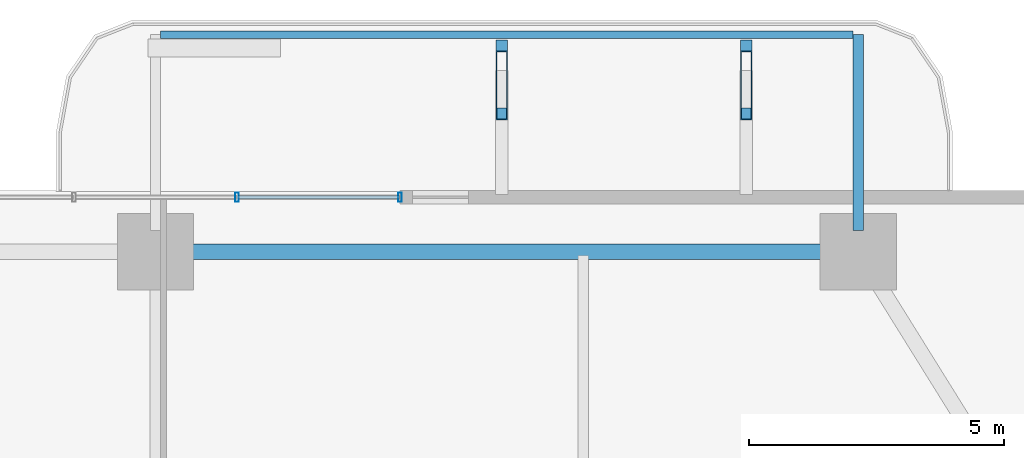
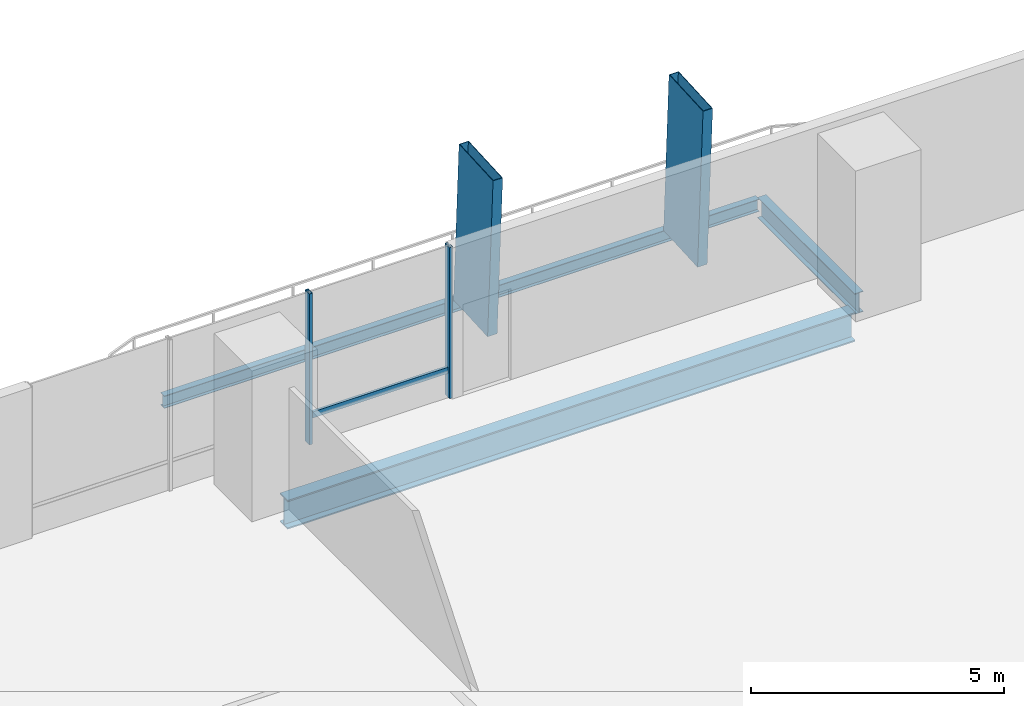
# One storey, part 15 of 23: 5 members, 3 beams, 1 element without a shape of its own.
"""IFC4 building model written with IfcOpenShell, lengths in metres."""

from ifc_helpers import new_model, si_unit, direction, frame, origin, origin_2d, place, context, subcontext, project, spatial, hollow_rectangle, i_section, extrude, material, layer, layer_set, material_profile, profile_set, type_object, element, aggregate, save


model = new_model("IFC4")

# Units and contexts
model_context = context("Model", 3, precision=1e-05, world=origin(), true_north=direction((0.0, 1.0)))
body_context = subcontext(model_context, "Body", "Model", "MODEL_VIEW")
ifc_project = project(units=[si_unit("LENGTHUNIT", "METRE"), si_unit("AREAUNIT", "SQUARE_METRE"), si_unit("VOLUMEUNIT", "CUBIC_METRE"), si_unit("PLANEANGLEUNIT", "RADIAN"), si_unit("MASSUNIT", "GRAM", prefix="KILO")], contexts=[model_context])

# Site, building, storey
site_placement = place(None, origin())
site = spatial("IfcSite", under=ifc_project, at=site_placement, CompositionType="ELEMENT")
building_placement = place(site_placement, origin())
building = spatial("IfcBuilding", under=site, at=building_placement, Name="Belovzor Exchange Tower", CompositionType="ELEMENT")
storey_placement = place(building_placement, frame((0.0, 0.0, 53.39990234375)))
storey = spatial("IfcBuildingStorey", under=building, at=storey_placement, Name="L12", CompositionType="ELEMENT", Elevation=53.39990234375)

# Members
ifc_material_1 = material(Name="Extruded Architectural Terracotta on Steel S355 Carrier", Category="masonry")
ifc_material_profile_1 = material_profile(ifc_material_1, hollow_rectangle(XDim=0.219970703125, YDim=1.35009765625, WallThickness=0.013916015625, at=origin_2d()))
ifc_profile_set_1 = profile_set([ifc_material_profile_1], Name="Extruded Architectural Terracotta on Steel S355 Carrier")
member_type_1 = type_object("IfcMemberType", Name="Base Arc Sweeping Terracotta Pylon Fin 1450", PredefinedType="USERDEFINED", material=ifc_profile_set_1)
for number, where, z_axis, x_axis, name in (
    (1, (35.60009765625, 58.97900390625, -0.25), (0.0, -0.055314244803, 0.998468995173), (1.0, 0.0, 0.0), "FIN-TC145 Terracotta Facade Fin L12 N3"),
    (2, (40.39990234375, 58.97900390625, -0.25), (0.0, -0.055314244803, 0.998468995173), (1.0, 0.0, 0.0), "FIN-TC145 Terracotta Facade Fin L12 N4"),
):
    element("IfcMember", number, at=place(storey_placement, frame(where, z_axis=z_axis, x_axis=x_axis)), inside=storey, type_object=member_type_1, Name=name, ObjectType="FIN", PredefinedType="USERDEFINED", context=body_context, shape_type="SweptSolid", body=[
        extrude(hollow_rectangle(XDim=0.219970703125, YDim=1.35009765625, WallThickness=0.013916015625, at=origin_2d()), origin(), (0.0, 0.0, 1.0), 3.906005859375),
    ])

# Beams
ifc_material_2 = material(Name="Steel S355", Category="steel")
ifc_material_profile_2 = material_profile(ifc_material_2, i_section(OverallWidth=0.199951171875, OverallDepth=0.5, WebThickness=0.01025390625, FlangeThickness=0.01611328125, at=origin_2d()))
ifc_profile_set_2 = profile_set([ifc_material_profile_2], Name="Steel S355")
beam_type_1 = type_object("IfcBeamType", Name="Planted Balcony Cantilever Beam IPE 500", PredefinedType="BEAM", material=ifc_profile_set_2)
beam_1_placement = place(storey_placement, frame((42.60009765625, 55.9130859375, -0.5), z_axis=(0.0, 1.0, 0.0), x_axis=(-1.0, 0.0, 0.0)))
element("IfcBeam", 3, at=beam_1_placement, inside=storey, type_object=beam_type_1, Name="BC-500 Planted Balcony Cantilever Beam IPE 500", PredefinedType="BEAM", context=body_context, shape_type="SweptSolid", body=[
    extrude(i_section(OverallWidth=0.199951171875, OverallDepth=0.5, WebThickness=0.01025390625, FlangeThickness=0.01611328125, at=origin_2d()), origin(), (0.0, 0.0, 1.0), 3.849853515625),
])
ifc_material_3 = material(Name="Steel S355", Category="steel")
ifc_material_profile_3 = material_profile(ifc_material_3, i_section(OverallWidth=0.14990234375, OverallDepth=0.300048828125, WebThickness=0.007080078125, FlangeThickness=0.0107421875, at=origin_2d()))
ifc_profile_set_3 = profile_set([ifc_material_profile_3], Name="Steel S355")
beam_type_2 = type_object("IfcBeamType", Name="Planted Balcony Fascia Edge Beam IPE 300", PredefinedType="BEAM", material=ifc_profile_set_3)
beam_2_placement = place(storey_placement, frame((42.5, 59.762939453125, -0.39990234375), z_axis=(-1.0, 0.0, 0.0), x_axis=(0.0, -1.0, 0.0)))
element("IfcBeam", 4, at=beam_2_placement, inside=storey, type_object=beam_type_2, Name="BC-300 Planted Balcony Fascia Edge Beam IPE 300", PredefinedType="BEAM", context=body_context, shape_type="SweptSolid", body=[
    extrude(i_section(OverallWidth=0.14990234375, OverallDepth=0.300048828125, WebThickness=0.007080078125, FlangeThickness=0.0107421875, at=origin_2d()), origin(), (0.0, 0.0, 1.0), 13.60009765625),
])

# Curtain wall, members
ifc_material_4 = material(Name="Anodised Aluminium Framing", Category="aluminium")
ifc_layer = layer(ifc_material_4, 0.179931640625)
ifc_layer_set = layer_set([ifc_layer], Name="Anodised Aluminium Framing")
curtain_wall_type = type_object("IfcCurtainWallType", Name="Recessed Loggia Low-Iron Triple-Glazed Curtain Wall", PredefinedType="NOTDEFINED", material=ifc_layer_set)
curtain_wall_placement = place(storey_placement, origin())
curtain_wall = element("IfcCurtainWall", 5, at=curtain_wall_placement, inside=storey, type_object=curtain_wall_type, Name="CW3 Recessed Loggia Low-Iron Triple-Glazed Curtain Wall L12", PredefinedType="NOTDEFINED")
ifc_material_5 = material(Name="Steel S355", Category="steel")
ifc_material_profile_4 = material_profile(ifc_material_5, hollow_rectangle(XDim=0.074951171875, YDim=0.179931640625, WallThickness=0.0048828125, at=origin_2d()))
ifc_profile_set_4 = profile_set([ifc_material_profile_4], Name="Steel S355")
member_type_2 = type_object("IfcMemberType", Name="Thermally Broken Curtain Wall Mullion 180x75", PredefinedType="MULLION", material=ifc_profile_set_4)
member_1_placement = place(storey_placement, frame((30.39990234375, 56.570068359375, 0.0), z_axis=(0.0, 0.0, 1.0), x_axis=(1.0, 0.0, 0.0)))
member_1 = element("IfcMember", 6, at=member_1_placement, type_object=member_type_2, Name="CW-M180 Curtain Wall Mullion 3", PredefinedType="MULLION", context=body_context, shape_type="SweptSolid", body=[
    extrude(hollow_rectangle(XDim=0.074951171875, YDim=0.179931640625, WallThickness=0.0048828125, at=origin_2d()), origin(), (0.0, 0.0, 1.0), 3.650146484375),
])
member_2_placement = place(storey_placement, frame((33.60009765625, 56.570068359375, 0.0), z_axis=(0.0, 0.0, 1.0), x_axis=(1.0, 0.0, 0.0)))
member_2 = element("IfcMember", 7, at=member_2_placement, type_object=member_type_2, Name="CW-M180 Curtain Wall Mullion 4", PredefinedType="MULLION", context=body_context, shape_type="SweptSolid", body=[
    extrude(hollow_rectangle(XDim=0.074951171875, YDim=0.179931640625, WallThickness=0.0048828125, at=origin_2d()), origin(), (0.0, 0.0, 1.0), 3.650146484375),
])
ifc_material_6 = material(Name="Steel S355", Category="steel")
ifc_material_profile_5 = material_profile(ifc_material_6, hollow_rectangle(XDim=0.06005859375, YDim=0.14990234375, WallThickness=0.00390625, at=origin_2d()))
ifc_profile_set_5 = profile_set([ifc_material_profile_5], Name="Steel S355")
member_type_3 = type_object("IfcMemberType", Name="Thermally Broken Curtain Wall Transom 150x60", PredefinedType="USERDEFINED", material=ifc_profile_set_5)
member_3_placement = place(storey_placement, frame((30.407958984375, 56.570068359375, 0.650146484375), z_axis=(1.0, 0.0, 0.0), x_axis=(0.0, 1.0, 0.0)))
member_3 = element("IfcMember", 8, at=member_3_placement, type_object=member_type_3, Name="CW-T150 Curtain Wall Transom 3", ObjectType="TRANSOM", PredefinedType="USERDEFINED", context=body_context, shape_type="SweptSolid", body=[
    extrude(hollow_rectangle(XDim=0.06005859375, YDim=0.14990234375, WallThickness=0.00390625, at=origin_2d()), origin(), (0.0, 0.0, 1.0), 3.18408203125),
])
aggregate(curtain_wall, [member_1, member_2, member_3])

# Beam
ifc_material_7 = material(Name="Steel S355", Category="steel")
ifc_material_profile_6 = material_profile(ifc_material_7, i_section(OverallWidth=0.300048828125, OverallDepth=0.699951171875, WebThickness=0.01708984375, FlangeThickness=0.031982421875, at=origin_2d()))
ifc_profile_set_6 = profile_set([ifc_material_profile_6], Name="Steel S355")
beam_type_3 = type_object("IfcBeamType", Name="Zone 1 Primary Perimeter Girder HEB 700", PredefinedType="BEAM", material=ifc_profile_set_6)
beam_3_placement = place(storey_placement, frame((42.18798828125, 55.5, -0.599853515625), z_axis=(-1.0, 0.0, 0.0), x_axis=(0.0, -1.0, 0.0)))
element("IfcBeam", 9, at=beam_3_placement, inside=storey, type_object=beam_type_3, Name="FG-Z1 Zone 1 Primary Perimeter Girder HEB 700", PredefinedType="BEAM", context=body_context, shape_type="SweptSolid", body=[
    extrude(i_section(OverallWidth=0.300048828125, OverallDepth=0.699951171875, WebThickness=0.01708984375, FlangeThickness=0.031982421875, at=origin_2d()), origin(), (0.0, 0.0, 1.0), 12.97509765625),
])

save(model, "model.ifc")
